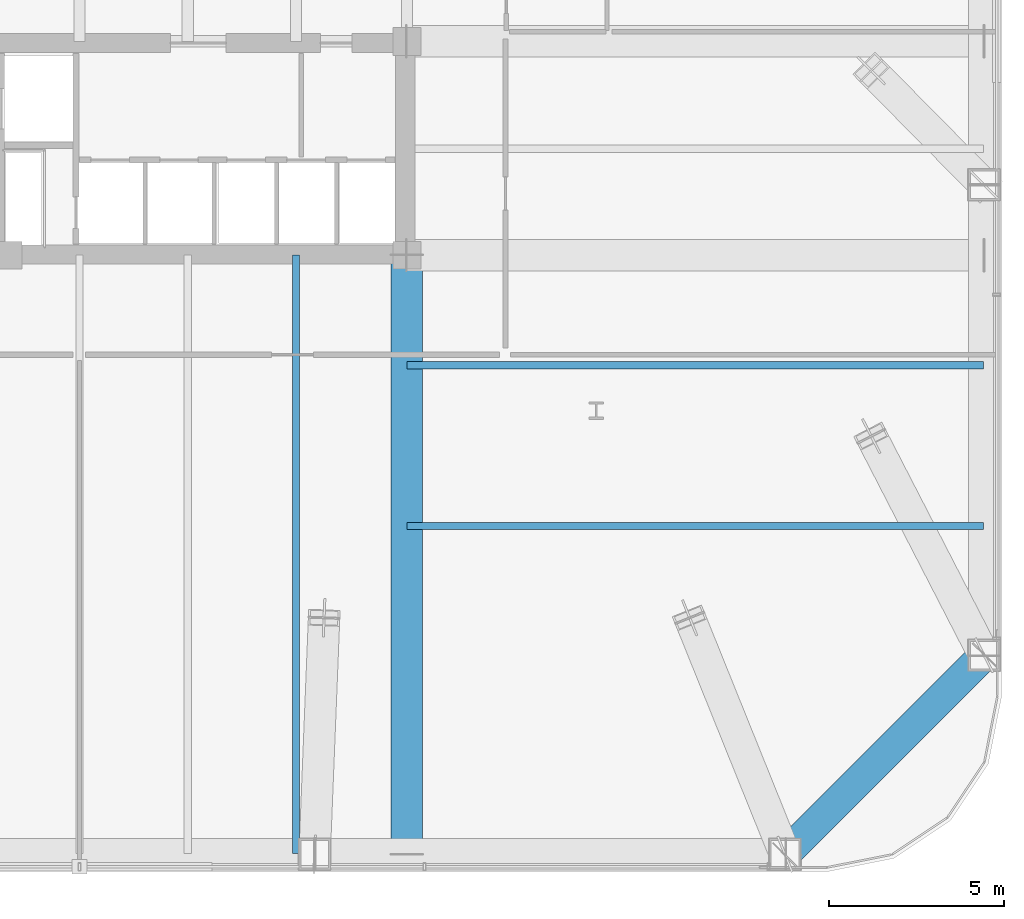
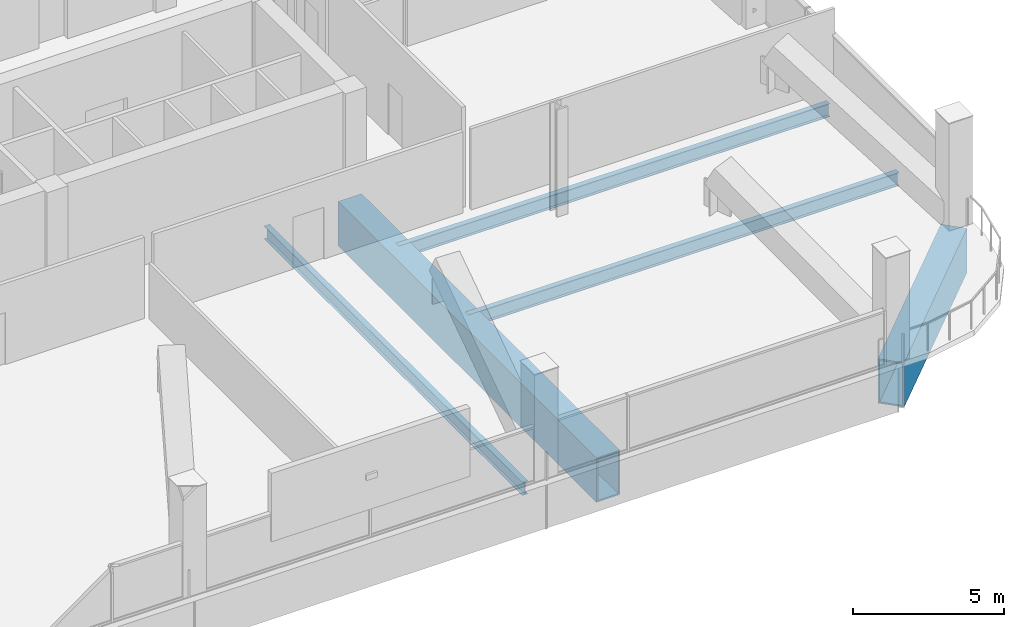
# One storey, part 11 of 38: 5 beams.
"""IFC4 building model written with IfcOpenShell, lengths in metres."""

from ifc_helpers import new_model, si_unit, direction, frame, origin, origin_2d, place, context, subcontext, project, spatial, hollow_rectangle, i_section, extrude, material, material_profile, profile_set, type_object, element, save


model = new_model("IFC4")

# Units and contexts
model_context = context("Model", 3, precision=1e-05, world=origin(), true_north=direction((0.0, 1.0)))
body_context = subcontext(model_context, "Body", "Model", "MODEL_VIEW")
ifc_project = project(units=[si_unit("LENGTHUNIT", "METRE"), si_unit("AREAUNIT", "SQUARE_METRE"), si_unit("VOLUMEUNIT", "CUBIC_METRE"), si_unit("PLANEANGLEUNIT", "RADIAN"), si_unit("MASSUNIT", "GRAM", prefix="KILO")], contexts=[model_context])

# Site, building, storey
site_placement = place(None, origin())
site = spatial("IfcSite", under=ifc_project, at=site_placement, CompositionType="ELEMENT")
building_placement = place(site_placement, origin())
building = spatial("IfcBuilding", under=site, at=building_placement, Name="Qhalaya Broadcast Tower", CompositionType="ELEMENT")
storey_placement = place(building_placement, frame((0.0, 0.0, 53.550048828125)))
storey = spatial("IfcBuildingStorey", under=building, at=storey_placement, Name="L15", CompositionType="ELEMENT", Elevation=53.550048828125)

# Beams
ifc_material_1 = material(Name="Structural Steel ASTM A572 Grade 50", Category="steel")
ifc_material_profile_1 = material_profile(ifc_material_1, hollow_rectangle(XDim=0.89990234375, YDim=1.800048828125, WallThickness=0.06005859375, at=origin_2d()), Name="BOX 900x1800x60")
ifc_profile_set_1 = profile_set([ifc_material_profile_1], Name="Structural Steel ASTM A572 Grade 50")
beam_type_1 = type_object("IfcBeamType", Name="Block Cantilever Transfer Box Girder TG1", PredefinedType="USERDEFINED", material=ifc_profile_set_1)
beam_1_placement = place(storey_placement, frame((20.199951171875, -25.89990234375, -1.1201171875), z_axis=(0.707106781187, 0.707106781187, 0.0), x_axis=(-0.707106781187, 0.707106781187, 0.0)))
element("IfcBeam", 1, at=beam_1_placement, inside=storey, type_object=beam_type_1, Name="L15 TG1 L15-SPR-04", ObjectType="GIRDER", PredefinedType="USERDEFINED", context=body_context, shape_type="SweptSolid", body=[
    extrude(hollow_rectangle(XDim=0.89990234375, YDim=1.800048828125, WallThickness=0.06005859375, at=origin_2d()), origin(), (0.0, 0.0, 1.0), 8.06103515625),
])
beam_2_placement = place(storey_placement, frame((9.375, -25.8798828125, -1.1201171875), z_axis=(0.0, 1.0, 0.0), x_axis=(-1.0, 0.0, 0.0)))
element("IfcBeam", 2, at=beam_2_placement, inside=storey, type_object=beam_type_1, Name="L15 TG1 L15-PGXS2-1", ObjectType="GIRDER", PredefinedType="USERDEFINED", context=body_context, shape_type="SweptSolid", body=[
    extrude(hollow_rectangle(XDim=0.89990234375, YDim=1.800048828125, WallThickness=0.06005859375, at=origin_2d()), origin(), (0.0, 0.0, 1.0), 17.1298828125),
])
ifc_material_2 = material(Name="Structural Steel ASTM A992 Grade 50", Category="steel")
ifc_material_profile_2 = material_profile(ifc_material_2, i_section(OverallWidth=0.2099609375, OverallDepth=0.535888671875, WebThickness=0.010986328125, FlangeThickness=0.017333984375, at=origin_2d()), Name="W21X68")
ifc_profile_set_2 = profile_set([ifc_material_profile_2], Name="Structural Steel ASTM A992 Grade 50")
beam_type_2 = type_object("IfcBeamType", Name="Composite Floor Joist J02", PredefinedType="JOIST", material=ifc_profile_set_2)
beam_3_placement = place(storey_placement, frame((6.199951171875, -25.8798828125, -0.488037109375), z_axis=(0.0, 1.0, 0.0), x_axis=(-1.0, 0.0, 0.0)))
element("IfcBeam", 3, at=beam_3_placement, inside=storey, type_object=beam_type_2, Name="L15 J02 L15-JNS5-1", PredefinedType="JOIST", context=body_context, shape_type="SweptSolid", body=[
    extrude(i_section(OverallWidth=0.2099609375, OverallDepth=0.535888671875, WebThickness=0.010986328125, FlangeThickness=0.017333984375, at=origin_2d()), origin(), (0.0, 0.0, 1.0), 17.1298828125),
])
for number, where, z_axis, x_axis, name in (
    (4, (9.375, -16.5, -0.488037109375), (1.0, 0.0, 0.0), (0.0, 1.0, 0.0), "L15 J02 L15-JWE1E-1"),
    (5, (9.375, -11.89990234375, -0.488037109375), (1.0, 0.0, 0.0), (0.0, 1.0, 0.0), "L15 J02 L15-JWE2E-1"),
):
    element("IfcBeam", number, at=place(storey_placement, frame(where, z_axis=z_axis, x_axis=x_axis)), inside=storey, type_object=beam_type_2, Name=name, PredefinedType="JOIST", context=body_context, shape_type="SweptSolid", body=[
        extrude(i_section(OverallWidth=0.2099609375, OverallDepth=0.535888671875, WebThickness=0.010986328125, FlangeThickness=0.017333984375, at=origin_2d()), origin(), (0.0, 0.0, 1.0), 16.5048828125),
    ])

save(model, "model.ifc")
